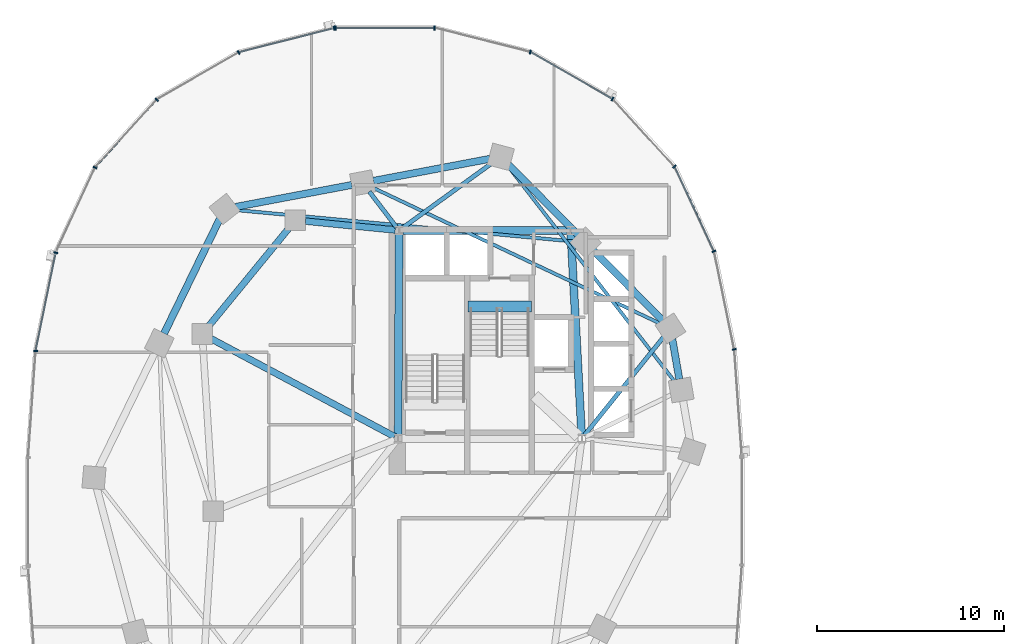
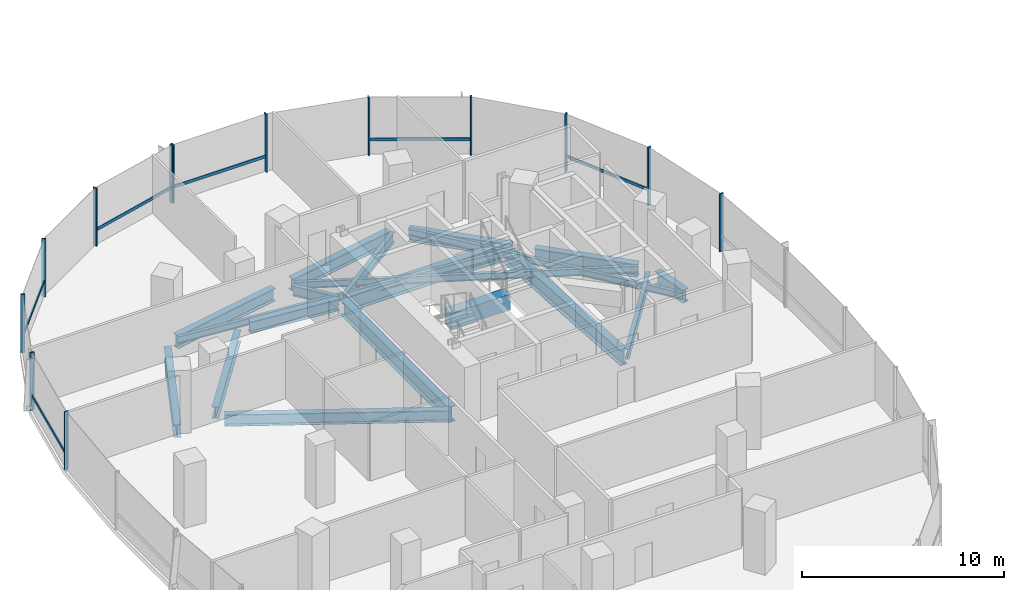
# One storey, part 4 of 22: 19 beams, 19 members, 2 elements without a shape of their own.
"""IFC4 building model written with IfcOpenShell, lengths in metres."""

from ifc_helpers import new_model, si_unit, direction, frame, origin, origin_2d, place, context, subcontext, project, spatial, rectangle, i_section, extrude, material, material_profile, profile_set, type_object, element, aggregate, save


model = new_model("IFC4")

# Units and contexts
model_context = context("Model", 3, precision=1e-05, world=origin(), true_north=direction((0.0, 1.0)))
body_context = subcontext(model_context, "Body", "Model", "MODEL_VIEW")
ifc_project = project(units=[si_unit("LENGTHUNIT", "METRE"), si_unit("AREAUNIT", "SQUARE_METRE"), si_unit("VOLUMEUNIT", "CUBIC_METRE"), si_unit("PLANEANGLEUNIT", "RADIAN"), si_unit("MASSUNIT", "GRAM", prefix="KILO"), si_unit("THERMODYNAMICTEMPERATUREUNIT", "KELVIN"), si_unit("POWERUNIT", "WATT")], contexts=[model_context])

# Site, building, storey
site_placement = place(None, origin())
site = spatial("IfcSite", under=ifc_project, at=site_placement, CompositionType="ELEMENT")
building_placement = place(site_placement, origin())
building = spatial("IfcBuilding", under=site, at=building_placement, Name="Cundina Bronze Exchange", CompositionType="ELEMENT")
storey_placement = place(building_placement, frame((0.0, 0.0, 43.0)))
storey = spatial("IfcBuildingStorey", under=building, at=storey_placement, Name="L10", CompositionType="ELEMENT", Elevation=43.0)

# Beams
ifc_material_1 = material(Name="Concrete C60/75", Category="concrete")
ifc_material_profile_1 = material_profile(ifc_material_1, rectangle(XDim=0.60009765625, YDim=0.949951171875, at=origin_2d()), Name="RC600X950", Category="concrete")
ifc_profile_set_1 = profile_set([ifc_material_profile_1], Name="Concrete C60/75")
beam_type_1 = type_object("IfcBeamType", Name="BM-COUP-RC950", PredefinedType="LINTEL", material=ifc_profile_set_1)
beam_1_placement = place(storey_placement, frame((-27.56005859375, 10.97998046875, -0.47509765625), z_axis=(1.0, 0.0, 0.0), x_axis=(0.0, 1.0, 0.0)))
element("IfcBeam", 1, at=beam_1_placement, inside=storey, type_object=beam_type_1, Name="L10 Stair W2 Landing Header Beam", PredefinedType="LINTEL", context=body_context, shape_type="SweptSolid", body=[
    extrude(rectangle(XDim=0.60009765625, YDim=0.949951171875, at=origin_2d()), origin(), (0.0, 0.0, 1.0), 3.400146484375),
])
ifc_material_2 = material(Name="Steel ASTM A992 Grade 50", Category="steel")
ifc_material_profile_2 = material_profile(ifc_material_2, i_section(OverallWidth=0.22998046875, OverallDepth=0.616943359375, WebThickness=0.01318359375, FlangeThickness=0.022216796875, FilletRadius=0.013916015625, at=origin_2d()), Name="W24X94", Category="steel")
ifc_profile_set_2 = profile_set([ifc_material_profile_2], Name="Steel ASTM A992 Grade 50")
beam_type_2 = type_object("IfcBeamType", Name="BM-FLR-W24B", PredefinedType="BEAM", material=ifc_profile_set_2)
beam_2_placement = place(storey_placement, frame((-21.322021484375, 4.058837890625, -0.6083984375), z_axis=(0.627106366175, 0.778933633568, 0.0), x_axis=(-0.778933633568, 0.627106366175, 0.0)))
element("IfcBeam", 2, at=beam_2_placement, inside=storey, type_object=beam_type_2, Name="L10 Leg W Radial Floor Beam 02", PredefinedType="BEAM", context=body_context, shape_type="SweptSolid", body=[
    extrude(i_section(OverallWidth=0.22998046875, OverallDepth=0.616943359375, WebThickness=0.01318359375, FlangeThickness=0.022216796875, FilletRadius=0.013916015625, at=origin_2d()), origin(), (0.0, 0.0, 1.0), 6.78271484375),
])
beam_3_placement = place(storey_placement, frame((-31.084716796875, 15.169677734375, -0.6083984375), z_axis=(0.809700299677, 0.586843611794, 0.0), x_axis=(-0.586843611794, 0.809700299677, 0.0)))
element("IfcBeam", 3, at=beam_3_placement, inside=storey, type_object=beam_type_2, Name="L10 Leg W Radial Floor Beam 04", PredefinedType="BEAM", context=body_context, shape_type="SweptSolid", body=[
    extrude(i_section(OverallWidth=0.22998046875, OverallDepth=0.616943359375, WebThickness=0.01318359375, FlangeThickness=0.022216796875, FilletRadius=0.013916015625, at=origin_2d()), origin(), (0.0, 0.0, 1.0), 5.938720703125),
])
beam_4_placement = place(storey_placement, frame((-31.373779296875, 15.2119140625, -0.6083984375), z_axis=(-0.607468844289, 0.794343504548, 0.0), x_axis=(-0.794343504548, -0.607468844289, 0.0)))
element("IfcBeam", 4, at=beam_4_placement, inside=storey, type_object=beam_type_2, Name="L10 Leg W Radial Floor Beam 05", PredefinedType="BEAM", context=body_context, shape_type="SweptSolid", body=[
    extrude(i_section(OverallWidth=0.22998046875, OverallDepth=0.616943359375, WebThickness=0.01318359375, FlangeThickness=0.022216796875, FilletRadius=0.013916015625, at=origin_2d()), origin(), (0.0, 0.0, 1.0), 2.418212890625),
])
ifc_material_profile_3 = material_profile(ifc_material_2, i_section(OverallWidth=0.178955078125, OverallDepth=0.409912109375, WebThickness=0.0087890625, FlangeThickness=0.014404296875, FilletRadius=0.010986328125, at=origin_2d()), Name="W16X45", Category="steel")
ifc_profile_set_3 = profile_set([ifc_material_profile_3], Name="Steel ASTM A992 Grade 50")
beam_type_3 = type_object("IfcBeamType", Name="BM-JST-W16", PredefinedType="JOIST", material=ifc_profile_set_3)
beam_5_placement = place(storey_placement, frame((-16.48486328125, 6.965087890625, -0.5048828125), z_axis=(-0.612089386305, 0.790788583108, 0.0), x_axis=(-0.790788583108, -0.612089386305, 0.0)))
element("IfcBeam", 5, at=beam_5_placement, inside=storey, type_object=beam_type_3, Name="L10 Leg W Lobe Floor Joist 01-04", PredefinedType="JOIST", context=body_context, shape_type="SweptSolid", body=[
    extrude(i_section(OverallWidth=0.178955078125, OverallDepth=0.409912109375, WebThickness=0.0087890625, FlangeThickness=0.014404296875, FilletRadius=0.010986328125, at=origin_2d()), origin(), (0.0, 0.0, 1.0), 14.630859375),
])
beam_6_placement = place(storey_placement, frame((-17.231689453125, 10.05126953125, -0.5048828125), z_axis=(-0.904072668297, 0.427378766949, 0.0), x_axis=(-0.427378766949, -0.904072668297, 0.0)))
element("IfcBeam", 6, at=beam_6_placement, inside=storey, type_object=beam_type_3, Name="L10 Leg W Lobe Floor Joist 02-05", PredefinedType="JOIST", context=body_context, shape_type="SweptSolid", body=[
    extrude(i_section(OverallWidth=0.178955078125, OverallDepth=0.409912109375, WebThickness=0.0087890625, FlangeThickness=0.014404296875, FilletRadius=0.010986328125, at=origin_2d()), origin(), (0.0, 0.0, 1.0), 17.07470703125),
])
beam_7_placement = place(storey_placement, frame((-21.83544921875, 14.45458984375, -0.5048828125), z_axis=(-0.995701961644, 0.09261535282, 0.0), x_axis=(-0.09261535282, -0.995701961644, 0.0)))
element("IfcBeam", 7, at=beam_7_placement, inside=storey, type_object=beam_type_3, Name="L10 Leg W Lobe Floor Joist 03-06", PredefinedType="JOIST", context=body_context, shape_type="SweptSolid", body=[
    extrude(i_section(OverallWidth=0.178955078125, OverallDepth=0.409912109375, WebThickness=0.0087890625, FlangeThickness=0.014404296875, FilletRadius=0.010986328125, at=origin_2d()), origin(), (0.0, 0.0, 1.0), 18.25732421875),
])
ifc_material_profile_4 = material_profile(ifc_material_2, i_section(OverallWidth=0.35498046875, OverallDepth=0.695068359375, WebThickness=0.015380859375, FlangeThickness=0.02490234375, FilletRadius=0.01806640625, at=origin_2d()), Name="W27X146", Category="steel")
ifc_profile_set_4 = profile_set([ifc_material_profile_4], Name="Steel ASTM A992 Grade 50")
beam_type_4 = type_object("IfcBeamType", Name="BM-RING-W27", PredefinedType="USERDEFINED", material=ifc_profile_set_4)
beam_8_placement = place(storey_placement, frame((-31.452880859375, 15.070068359375, -0.6474609375), z_axis=(-0.995126271817, 0.098608839051, 0.0), x_axis=(-0.098608839051, -0.995126271817, 0.0)))
element("IfcBeam", 8, at=beam_8_placement, inside=storey, type_object=beam_type_4, Name="L10 W Inner Structural Ring Girder 01", ObjectType="GIRDER", PredefinedType="USERDEFINED", context=body_context, shape_type="SweptSolid", body=[
    extrude(i_section(OverallWidth=0.35498046875, OverallDepth=0.695068359375, WebThickness=0.015380859375, FlangeThickness=0.02490234375, FilletRadius=0.01806640625, at=origin_2d()), origin(), (0.0, 0.0, 1.0), 4.83544921875),
])
beam_9_placement = place(storey_placement, frame((-37.14111328125, 15.183837890625, -0.6474609375), z_axis=(-0.633926549035, -0.773393257295, 0.0), x_axis=(0.773393257295, -0.633926549035, 0.0)))
element("IfcBeam", 9, at=beam_9_placement, inside=storey, type_object=beam_type_4, Name="L10 W Inner Structural Ring Girder 02", ObjectType="GIRDER", PredefinedType="USERDEFINED", context=body_context, shape_type="SweptSolid", body=[
    extrude(i_section(OverallWidth=0.35498046875, OverallDepth=0.695068359375, WebThickness=0.015380859375, FlangeThickness=0.02490234375, FilletRadius=0.01806640625, at=origin_2d()), origin(), (0.0, 0.0, 1.0), 6.811279296875),
])
beam_10_placement = place(storey_placement, frame((-31.47998046875, 3.99609375, -0.6474609375), z_axis=(-0.882354758239, 0.470584828286, 0.0), x_axis=(-0.470584828286, -0.882354758239, 0.0)))
element("IfcBeam", 10, at=beam_10_placement, inside=storey, type_object=beam_type_4, Name="L10 W Core-to-Waist Tie Beam 2", ObjectType="GIRDER", PredefinedType="USERDEFINED", context=body_context, shape_type="SweptSolid", body=[
    extrude(i_section(OverallWidth=0.35498046875, OverallDepth=0.695068359375, WebThickness=0.015380859375, FlangeThickness=0.02490234375, FilletRadius=0.01806640625, at=origin_2d()), origin(), (0.0, 0.0, 1.0), 11.157958984375),
])
ifc_material_profile_5 = material_profile(ifc_material_2, i_section(OverallWidth=0.381103515625, OverallDepth=0.77294921875, WebThickness=0.0166015625, FlangeThickness=0.027099609375, FilletRadius=0.01904296875, at=origin_2d()), Name="W30X173", Category="steel")
ifc_profile_set_5 = profile_set([ifc_material_profile_5], Name="Steel ASTM A992 Grade 50")
beam_type_5 = type_object("IfcBeamType", Name="BM-RING-W30", PredefinedType="USERDEFINED", material=ifc_profile_set_5)
beam_11_placement = place(storey_placement, frame((-16.225830078125, 7.079345703125, -0.6865234375), z_axis=(-0.171734584051, 0.985143254883, 0.0), x_axis=(-0.985143254883, -0.171734584051, 0.0)))
element("IfcBeam", 11, at=beam_11_placement, inside=storey, type_object=beam_type_5, Name="L10 W Perimeter Ring Girder 01", ObjectType="GIRDER", PredefinedType="USERDEFINED", context=body_context, shape_type="SweptSolid", body=[
    extrude(i_section(OverallWidth=0.381103515625, OverallDepth=0.77294921875, WebThickness=0.0166015625, FlangeThickness=0.027099609375, FilletRadius=0.01904296875, at=origin_2d()), origin(), (0.0, 0.0, 1.0), 2.173583984375),
])
for number, where, z_axis, x_axis, name in (
    (12, (-17.113525390625, 10.218017578125, -0.6865234375), (-0.703222428859, 0.710969911845, 0.0), (-0.710969911845, -0.703222428859, 0.0), "L10 W Perimeter Ring Girder 02"),
    (13, (-21.66357421875, 14.818115234375, -0.6865234375), (-0.703222428859, 0.710969911845, 0.0), (-0.710969911845, -0.703222428859, 0.0), "L10 W Perimeter Ring Girder 03"),
):
    element("IfcBeam", number, at=place(storey_placement, frame(where, z_axis=z_axis, x_axis=x_axis)), inside=storey, type_object=beam_type_5, Name=name, ObjectType="GIRDER", PredefinedType="USERDEFINED", context=body_context, shape_type="SweptSolid", body=[
        extrude(i_section(OverallWidth=0.381103515625, OverallDepth=0.77294921875, WebThickness=0.0166015625, FlangeThickness=0.027099609375, FilletRadius=0.01904296875, at=origin_2d()), origin(), (0.0, 0.0, 1.0), 5.2939453125),
    ])
beam_12_placement = place(storey_placement, frame((-26.377685546875, 18.890625, -0.6865234375), z_axis=(-0.982570814598, -0.185888661031, 0.0), x_axis=(0.185888661031, -0.982570814598, 0.0)))
element("IfcBeam", 14, at=beam_12_placement, inside=storey, type_object=beam_type_5, Name="L10 W Perimeter Ring Girder 04", ObjectType="GIRDER", PredefinedType="USERDEFINED", context=body_context, shape_type="SweptSolid", body=[
    extrude(i_section(OverallWidth=0.381103515625, OverallDepth=0.77294921875, WebThickness=0.0166015625, FlangeThickness=0.027099609375, FilletRadius=0.01904296875, at=origin_2d()), origin(), (0.0, 0.0, 1.0), 6.35546875),
])
beam_13_placement = place(storey_placement, frame((-33.77783203125, 17.49072265625, -0.6865234375), z_axis=(-0.982569487119, -0.185895677686, 0.0), x_axis=(0.185895677686, -0.982569487119, 0.0)))
element("IfcBeam", 15, at=beam_13_placement, inside=storey, type_object=beam_type_5, Name="L10 W Perimeter Ring Girder 05", ObjectType="GIRDER", PredefinedType="USERDEFINED", context=body_context, shape_type="SweptSolid", body=[
    extrude(i_section(OverallWidth=0.381103515625, OverallDepth=0.77294921875, WebThickness=0.0166015625, FlangeThickness=0.027099609375, FilletRadius=0.01904296875, at=origin_2d()), origin(), (0.0, 0.0, 1.0), 6.355224609375),
])
beam_14_placement = place(storey_placement, frame((-40.857177734375, 15.671142578125, -0.6865234375), z_axis=(-0.437190698904, -0.899368830231, 0.0), x_axis=(0.899368830231, -0.437190698904, 0.0)))
element("IfcBeam", 16, at=beam_14_placement, inside=storey, type_object=beam_type_5, Name="L10 W Perimeter Ring Girder 06", ObjectType="GIRDER", PredefinedType="USERDEFINED", context=body_context, shape_type="SweptSolid", body=[
    extrude(i_section(OverallWidth=0.381103515625, OverallDepth=0.77294921875, WebThickness=0.0166015625, FlangeThickness=0.027099609375, FilletRadius=0.01904296875, at=origin_2d()), origin(), (0.0, 0.0, 1.0), 6.82958984375),
])
ifc_material_profile_6 = material_profile(ifc_material_2, i_section(OverallWidth=0.41796875, OverallDepth=0.927001953125, WebThickness=0.019287109375, FlangeThickness=0.031982421875, FilletRadius=0.02392578125, at=origin_2d()), Name="W36X231", Category="steel")
ifc_profile_set_6 = profile_set([ifc_material_profile_6], Name="Steel ASTM A992 Grade 50")
beam_type_6 = type_object("IfcBeamType", Name="BM-WRN-W36B", PredefinedType="USERDEFINED", material=ifc_profile_set_6)
beam_15_placement = place(storey_placement, frame((-21.4609375, 4.103759765625, -0.763427734375), z_axis=(-0.053739193498, 0.998555005537, 0.0), x_axis=(-0.998555005537, -0.053739193498, 0.0)))
element("IfcBeam", 17, at=beam_15_placement, inside=storey, type_object=beam_type_6, Name="L10 W Core Perimeter Tie Girder 2", ObjectType="GIRDER", PredefinedType="USERDEFINED", context=body_context, shape_type="SweptSolid", body=[
    extrude(i_section(OverallWidth=0.41796875, OverallDepth=0.927001953125, WebThickness=0.019287109375, FlangeThickness=0.031982421875, FilletRadius=0.02392578125, at=origin_2d()), origin(), (0.0, 0.0, 1.0), 10.758056640625),
])
beam_16_placement = place(storey_placement, frame((-22.25390625, 15.050048828125, -0.763427734375), z_axis=(-1.0, 0.0, 0.0), x_axis=(0.0, -1.0, 0.0)))
element("IfcBeam", 18, at=beam_16_placement, inside=storey, type_object=beam_type_6, Name="L10 W Core Perimeter Tie Girder 3", ObjectType="GIRDER", PredefinedType="USERDEFINED", context=body_context, shape_type="SweptSolid", body=[
    extrude(i_section(OverallWidth=0.41796875, OverallDepth=0.927001953125, WebThickness=0.019287109375, FlangeThickness=0.031982421875, FilletRadius=0.02392578125, at=origin_2d()), origin(), (0.0, 0.0, 1.0), 8.7919921875),
])
beam_17_placement = place(storey_placement, frame((-31.2509765625, 14.845947265625, -0.763427734375), z_axis=(-0.004477329608, -0.99998997671, 0.0), x_axis=(0.99998997671, -0.004477329608, 0.0)))
element("IfcBeam", 19, at=beam_17_placement, inside=storey, type_object=beam_type_6, Name="L10 W Core Perimeter Tie Girder 4", ObjectType="GIRDER", PredefinedType="USERDEFINED", context=body_context, shape_type="SweptSolid", body=[
    extrude(i_section(OverallWidth=0.41796875, OverallDepth=0.927001953125, WebThickness=0.019287109375, FlangeThickness=0.031982421875, FilletRadius=0.02392578125, at=origin_2d()), origin(), (0.0, 0.0, 1.0), 10.741943359375),
])

# Curtain wall, members
ifc_material_3 = material(Name="Anodised Bronze Aluminium 6063-T6", Category="aluminium")
curtain_wall_type = type_object("IfcCurtainWallType", Name="CWS-TRD-LOW", PredefinedType="NOTDEFINED", material=ifc_material_3)
curtain_wall_1_placement = place(storey_placement, origin())
curtain_wall_1 = element("IfcCurtainWall", 20, at=curtain_wall_1_placement, inside=storey, type_object=curtain_wall_type, Name="L10 CW-02 Curtain Wall Run CWR-L10-W1", PredefinedType="NOTDEFINED")
ifc_material_profile_7 = material_profile(ifc_material_3, rectangle(XDim=0.074951171875, YDim=0.219970703125, at=origin_2d()), Name="AL75X220", Category="aluminium")
ifc_profile_set_7 = profile_set([ifc_material_profile_7], Name="Anodised Bronze Aluminium 6063-T6")
member_type_1 = type_object("IfcMemberType", Name="CWM-MUL-220", PredefinedType="MULLION", material=ifc_profile_set_7)
member_1_placement = place(storey_placement, frame((-13.282958984375, 8.67822265625, 0.0), z_axis=(0.0, 0.0, 1.0), x_axis=(-0.201419845156, 0.979505000486, 0.0)))
member_1 = element("IfcMember", 21, at=member_1_placement, type_object=member_type_1, Name="CW-02 Mullion 2", PredefinedType="MULLION", context=body_context, shape_type="SweptSolid", body=[
    extrude(rectangle(XDim=0.074951171875, YDim=0.219970703125, at=origin_2d()), origin(), (0.0, 0.0, 1.0), 3.5),
])
member_2_placement = place(storey_placement, frame((-14.3720703125, 13.931884765625, 0.0), z_axis=(0.0, 0.0, 1.0), x_axis=(-0.42087749791, 0.907117485088, 0.0)))
member_2 = element("IfcMember", 22, at=member_2_placement, type_object=member_type_1, Name="CW-02 Mullion 3", PredefinedType="MULLION", context=body_context, shape_type="SweptSolid", body=[
    extrude(rectangle(XDim=0.074951171875, YDim=0.219970703125, at=origin_2d()), origin(), (0.0, 0.0, 1.0), 3.5),
])
member_3_placement = place(storey_placement, frame((-16.491455078125, 18.47705078125, 0.0), z_axis=(0.0, 0.0, 1.0), x_axis=(-0.674302387584, 0.738455340626, 0.0)))
member_3 = element("IfcMember", 23, at=member_3_placement, type_object=member_type_1, Name="CW-02 Mullion 4", PredefinedType="MULLION", context=body_context, shape_type="SweptSolid", body=[
    extrude(rectangle(XDim=0.074951171875, YDim=0.219970703125, at=origin_2d()), origin(), (0.0, 0.0, 1.0), 3.5),
])
member_4_placement = place(storey_placement, frame((-19.810302734375, 22.097412109375, 0.0), z_axis=(0.0, 0.0, 1.0), x_axis=(-0.867070701164, 0.498185105339, 0.0)))
member_4 = element("IfcMember", 24, at=member_4_placement, type_object=member_type_1, Name="CW-02 Mullion 5", PredefinedType="MULLION", context=body_context, shape_type="SweptSolid", body=[
    extrude(rectangle(XDim=0.074951171875, YDim=0.219970703125, at=origin_2d()), origin(), (0.0, 0.0, 1.0), 3.5),
])
member_5_placement = place(storey_placement, frame((-24.21484375, 24.61669921875, 0.0), z_axis=(0.0, 0.0, 1.0), x_axis=(-0.969488149345, 0.245138182011, 0.0)))
member_5 = element("IfcMember", 25, at=member_5_placement, type_object=member_type_1, Name="CW-02 Mullion 6", PredefinedType="MULLION", context=body_context, shape_type="SweptSolid", body=[
    extrude(rectangle(XDim=0.074951171875, YDim=0.219970703125, at=origin_2d()), origin(), (0.0, 0.0, 1.0), 3.5),
])
member_6_placement = place(storey_placement, frame((-29.345458984375, 25.905029296875, 0.0), z_axis=(0.0, 0.0, 1.0), x_axis=(-1.0, 0.0, 0.0)))
member_6 = element("IfcMember", 26, at=member_6_placement, type_object=member_type_1, Name="CW-02 Mullion 7", PredefinedType="MULLION", context=body_context, shape_type="SweptSolid", body=[
    extrude(rectangle(XDim=0.074951171875, YDim=0.219970703125, at=origin_2d()), origin(), (0.0, 0.0, 1.0), 3.5),
])
member_7_placement = place(storey_placement, frame((-34.654541015625, 25.905029296875, 0.0), z_axis=(0.0, 0.0, 1.0), x_axis=(-1.0, 0.0, 0.0)))
member_7 = element("IfcMember", 27, at=member_7_placement, type_object=member_type_1, Name="CW-02 End Mullion", PredefinedType="MULLION", context=body_context, shape_type="SweptSolid", body=[
    extrude(rectangle(XDim=0.074951171875, YDim=0.219970703125, at=origin_2d()), origin(), (0.0, 0.0, 1.0), 3.5),
])

curtain_wall_2_placement = place(storey_placement, origin())
curtain_wall_2 = element("IfcCurtainWall", 28, at=curtain_wall_2_placement, inside=storey, type_object=curtain_wall_type, Name="L10 CW-02 Curtain Wall Run CWR-L10-W2", PredefinedType="NOTDEFINED")
member_8_placement = place(storey_placement, frame((-34.72607421875, 25.89599609375, 0.0), z_axis=(0.0, 0.0, 1.0), x_axis=(-0.969488149345, -0.245138182011, 0.0)))
member_8 = element("IfcMember", 29, at=member_8_placement, type_object=member_type_1, Name="CW-02 Mullion 1", PredefinedType="MULLION", context=body_context, shape_type="SweptSolid", body=[
    extrude(rectangle(XDim=0.074951171875, YDim=0.219970703125, at=origin_2d()), origin(), (0.0, 0.0, 1.0), 3.5),
])
member_9_placement = place(storey_placement, frame((-39.848876953125, 24.591064453125, 0.0), z_axis=(0.0, 0.0, 1.0), x_axis=(-0.867070701164, -0.498185105339, 0.0)))
member_9 = element("IfcMember", 30, at=member_9_placement, type_object=member_type_1, Name="CW-02 Mullion 2", PredefinedType="MULLION", context=body_context, shape_type="SweptSolid", body=[
    extrude(rectangle(XDim=0.074951171875, YDim=0.219970703125, at=origin_2d()), origin(), (0.0, 0.0, 1.0), 3.5),
])
member_10_placement = place(storey_placement, frame((-44.239501953125, 22.0576171875, 0.0), z_axis=(0.0, 0.0, 1.0), x_axis=(-0.674302387584, -0.738455340626, 0.0)))
member_10 = element("IfcMember", 31, at=member_10_placement, type_object=member_type_1, Name="CW-02 Mullion 3", PredefinedType="MULLION", context=body_context, shape_type="SweptSolid", body=[
    extrude(rectangle(XDim=0.074951171875, YDim=0.219970703125, at=origin_2d()), origin(), (0.0, 0.0, 1.0), 3.5),
])
member_11_placement = place(storey_placement, frame((-47.544189453125, 18.423583984375, 0.0), z_axis=(0.0, 0.0, 1.0), x_axis=(-0.42087749791, -0.907117485088, 0.0)))
member_11 = element("IfcMember", 32, at=member_11_placement, type_object=member_type_1, Name="CW-02 Mullion 4", PredefinedType="MULLION", context=body_context, shape_type="SweptSolid", body=[
    extrude(rectangle(XDim=0.074951171875, YDim=0.219970703125, at=origin_2d()), origin(), (0.0, 0.0, 1.0), 3.5),
])
member_12_placement = place(storey_placement, frame((-49.651123046875, 13.861328125, 0.0), z_axis=(0.0, 0.0, 1.0), x_axis=(-0.201419845156, -0.979505000486, 0.0)))
member_12 = element("IfcMember", 33, at=member_12_placement, type_object=member_type_1, Name="CW-02 Mullion 5", PredefinedType="MULLION", context=body_context, shape_type="SweptSolid", body=[
    extrude(rectangle(XDim=0.074951171875, YDim=0.219970703125, at=origin_2d()), origin(), (0.0, 0.0, 1.0), 3.5),
])
member_13_placement = place(storey_placement, frame((-50.72900390625, 8.591552734375, 0.0), z_axis=(0.0, 0.0, 1.0), x_axis=(-0.070278787473, -0.997527389113, 0.0)))
member_13 = element("IfcMember", 34, at=member_13_placement, type_object=member_type_1, Name="CW-02 Mullion 6", PredefinedType="MULLION", context=body_context, shape_type="SweptSolid", body=[
    extrude(rectangle(XDim=0.074951171875, YDim=0.219970703125, at=origin_2d()), origin(), (0.0, 0.0, 1.0), 3.5),
])

# Member
ifc_material_profile_8 = material_profile(ifc_material_3, rectangle(XDim=0.070068359375, YDim=0.179931640625, at=origin_2d()), Name="AL70X180", Category="aluminium")
ifc_profile_set_8 = profile_set([ifc_material_profile_8], Name="Anodised Bronze Aluminium 6063-T6")
member_type_2 = type_object("IfcMemberType", Name="CWM-TRN-180", PredefinedType="USERDEFINED", material=ifc_profile_set_8)
member_14_placement = place(storey_placement, frame((-14.389404296875, 13.96923828125, 0.919921875), z_axis=(-0.420811422796, 0.907148139195, 0.0), x_axis=(-0.907148139195, -0.420811422796, 0.0)))
member_14 = element("IfcMember", 35, at=member_14_placement, type_object=member_type_2, Name="CW-02 Spandrel Transom 3", ObjectType="TRANSOM", PredefinedType="USERDEFINED", context=body_context, shape_type="SweptSolid", body=[
    extrude(rectangle(XDim=0.070068359375, YDim=0.179931640625, at=origin_2d()), origin(), (0.0, 0.0, 1.0), 4.95166015625),
])

member_15_placement = place(storey_placement, frame((-19.845947265625, 22.117919921875, 0.919921875), z_axis=(-0.867097475651, 0.498138502546, 0.0), x_axis=(-0.498138502546, -0.867097475651, 0.0)))
member_15 = element("IfcMember", 36, at=member_15_placement, type_object=member_type_2, Name="CW-02 Spandrel Transom 5", ObjectType="TRANSOM", PredefinedType="USERDEFINED", context=body_context, shape_type="SweptSolid", body=[
    extrude(rectangle(XDim=0.070068359375, YDim=0.179931640625, at=origin_2d()), origin(), (0.0, 0.0, 1.0), 5.00634765625),
])

member_16_placement = place(storey_placement, frame((-29.38671875, 25.905029296875, 0.919921875), z_axis=(-1.0, 0.0, 0.0), x_axis=(0.0, -1.0, 0.0)))
member_16 = element("IfcMember", 37, at=member_16_placement, type_object=member_type_2, Name="CW-02 Spandrel Transom 7", ObjectType="TRANSOM", PredefinedType="USERDEFINED", context=body_context, shape_type="SweptSolid", body=[
    extrude(rectangle(XDim=0.070068359375, YDim=0.179931640625, at=origin_2d()), origin(), (0.0, 0.0, 1.0), 5.2265625),
])

aggregate(curtain_wall_1, [member_1, member_2, member_14, member_3, member_4, member_15, member_5, member_6, member_7, member_16])

member_17_placement = place(storey_placement, frame((-34.76611328125, 25.885986328125, 0.919921875), z_axis=(-0.969483968866, -0.245154714644, 0.0), x_axis=(0.245154714644, -0.969483968866, 0.0)))
member_17 = element("IfcMember", 38, at=member_17_placement, type_object=member_type_2, Name="CW-02 Spandrel Transom 1", ObjectType="TRANSOM", PredefinedType="USERDEFINED", context=body_context, shape_type="SweptSolid", body=[
    extrude(rectangle(XDim=0.070068359375, YDim=0.179931640625, at=origin_2d()), origin(), (0.0, 0.0, 1.0), 5.21826171875),
])

member_18_placement = place(storey_placement, frame((-44.26708984375, 22.027099609375, 0.919921875), z_axis=(-0.674302794847, -0.738454968743, 0.0), x_axis=(0.738454968743, -0.674302794847, 0.0)))
member_18 = element("IfcMember", 39, at=member_18_placement, type_object=member_type_2, Name="CW-02 Spandrel Transom 3", ObjectType="TRANSOM", PredefinedType="USERDEFINED", context=body_context, shape_type="SweptSolid", body=[
    extrude(rectangle(XDim=0.070068359375, YDim=0.179931640625, at=origin_2d()), origin(), (0.0, 0.0, 1.0), 4.848388671875),
])

member_19_placement = place(storey_placement, frame((-49.659423828125, 13.821044921875, 0.919921875), z_axis=(-0.201427712708, -0.979503382615, 0.0), x_axis=(0.979503382615, -0.201427712708, 0.0)))
member_19 = element("IfcMember", 40, at=member_19_placement, type_object=member_type_2, Name="CW-02 Spandrel Transom 5", ObjectType="TRANSOM", PredefinedType="USERDEFINED", context=body_context, shape_type="SweptSolid", body=[
    extrude(rectangle(XDim=0.070068359375, YDim=0.179931640625, at=origin_2d()), origin(), (0.0, 0.0, 1.0), 5.291748046875),
])

aggregate(curtain_wall_2, [member_8, member_17, member_9, member_10, member_18, member_11, member_12, member_19, member_13])

save(model, "model.ifc")
